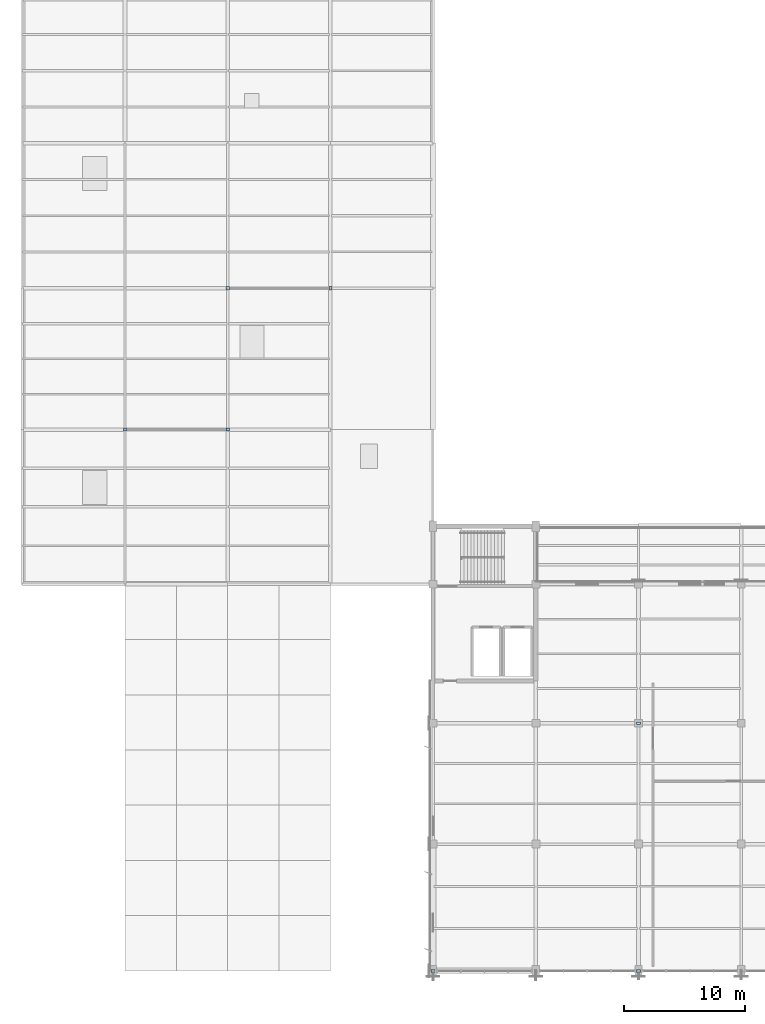
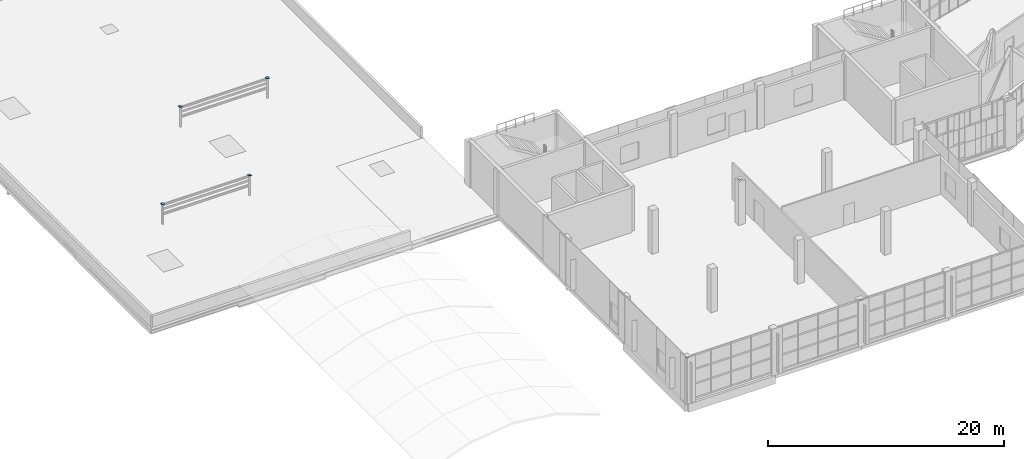
# One storey, part 49 of 66: 7 plates.
"""IFC4 building model written with IfcOpenShell, lengths in metres."""

from ifc_helpers import new_model, si_unit, direction, frame, origin, origin_2d, place, context, subcontext, project, spatial, rectangle, extrude, material, layer, layer_set, type_object, element, save


model = new_model("IFC4")

# Units and contexts
model_context = context("Model", 3, precision=1e-05, world=origin(), true_north=direction((0.0, 1.0)))
body_context = subcontext(model_context, "Body", "Model", "MODEL_VIEW")
ifc_project = project(units=[si_unit("LENGTHUNIT", "METRE"), si_unit("AREAUNIT", "SQUARE_METRE"), si_unit("VOLUMEUNIT", "CUBIC_METRE"), si_unit("PLANEANGLEUNIT", "RADIAN"), si_unit("MASSUNIT", "GRAM", prefix="KILO")], contexts=[model_context])

# Site, building, storey
site_placement = place(None, origin())
site = spatial("IfcSite", under=ifc_project, at=site_placement, CompositionType="ELEMENT")
building_placement = place(site_placement, origin())
building = spatial("IfcBuilding", under=site, at=building_placement, Name="Solvikara Media Centre", CompositionType="ELEMENT")
storey_placement = place(building_placement, frame((0.0, 0.0, 19.800048828125)))
storey = spatial("IfcBuildingStorey", under=building, at=storey_placement, Name="L04", CompositionType="ELEMENT", Elevation=19.800048828125)

# Plates
ifc_material = material(Name="Steel S355JR", Category="steel")
ifc_layer_1 = layer(ifc_material, 0.01806640625)
ifc_layer_set_1 = layer_set([ifc_layer_1], Name="Steel S355JR")
plate_type_1 = type_object("IfcPlateType", Name="PL-09", PredefinedType="USERDEFINED", material=ifc_layer_set_1)
for number, where, z_axis, x_axis, name in (
    (1, (8.5, 44.800048828125, 2.099853515625), (0.0, 0.0, 1.0), (1.0, 0.0, 0.0), "CAP-PS-A1"),
    (2, (17.0, 44.800048828125, 2.099853515625), (0.0, 0.0, 1.0), (1.0, 0.0, 0.0), "CAP-PS-B1"),
    (3, (17.0, 56.5, 2.099853515625), (0.0, 0.0, 1.0), (1.0, 0.0, 0.0), "CAP-PS-A2"),
    (4, (25.5, 56.5, 2.099853515625), (0.0, 0.0, 1.0), (1.0, 0.0, 0.0), "CAP-PS-B2"),
):
    element("IfcPlate", number, at=place(storey_placement, frame(where, z_axis=z_axis, x_axis=x_axis)), inside=storey, type_object=plate_type_1, Name=name, ObjectType="BASE PLATE", PredefinedType="USERDEFINED", context=body_context, shape_type="SweptSolid", body=[
        extrude(rectangle(XDim=0.260009765625, YDim=0.260009765625, at=origin_2d()), origin(), (0.0, 0.0, 1.0), 0.01806640625),
    ])
ifc_layer_2 = layer(ifc_material, 0.01806640625)
ifc_layer_set_2 = layer_set([ifc_layer_2], Name="Steel S355JR")
plate_type_2 = type_object("IfcPlateType", Name="PL-10", PredefinedType="USERDEFINED", material=ifc_layer_set_2)
for number, where, z_axis, x_axis, name in (
    (5, (34.0, 0.0, 4.490966796875), (0.0, 0.0, 1.0), (1.0, 0.0, 0.0), "ECP-PL10-01"),
    (6, (51.0, 0.0, 4.490966796875), (0.0, 0.0, 1.0), (1.0, 0.0, 0.0), "ECP-PL10-02"),
    (7, (51.0, 20.5, 4.490966796875), (0.0, 0.0, 1.0), (1.0, 0.0, 0.0), "ECP-PL10-03"),
):
    element("IfcPlate", number, at=place(storey_placement, frame(where, z_axis=z_axis, x_axis=x_axis)), inside=storey, type_object=plate_type_2, Name=name, ObjectType="GUSSET PLATE", PredefinedType="USERDEFINED", context=body_context, shape_type="SweptSolid", body=[
        extrude(rectangle(XDim=0.340087890625, YDim=0.239990234375, at=origin_2d()), origin(), (0.0, 0.0, 1.0), 0.01806640625),
    ])

save(model, "model.ifc")
